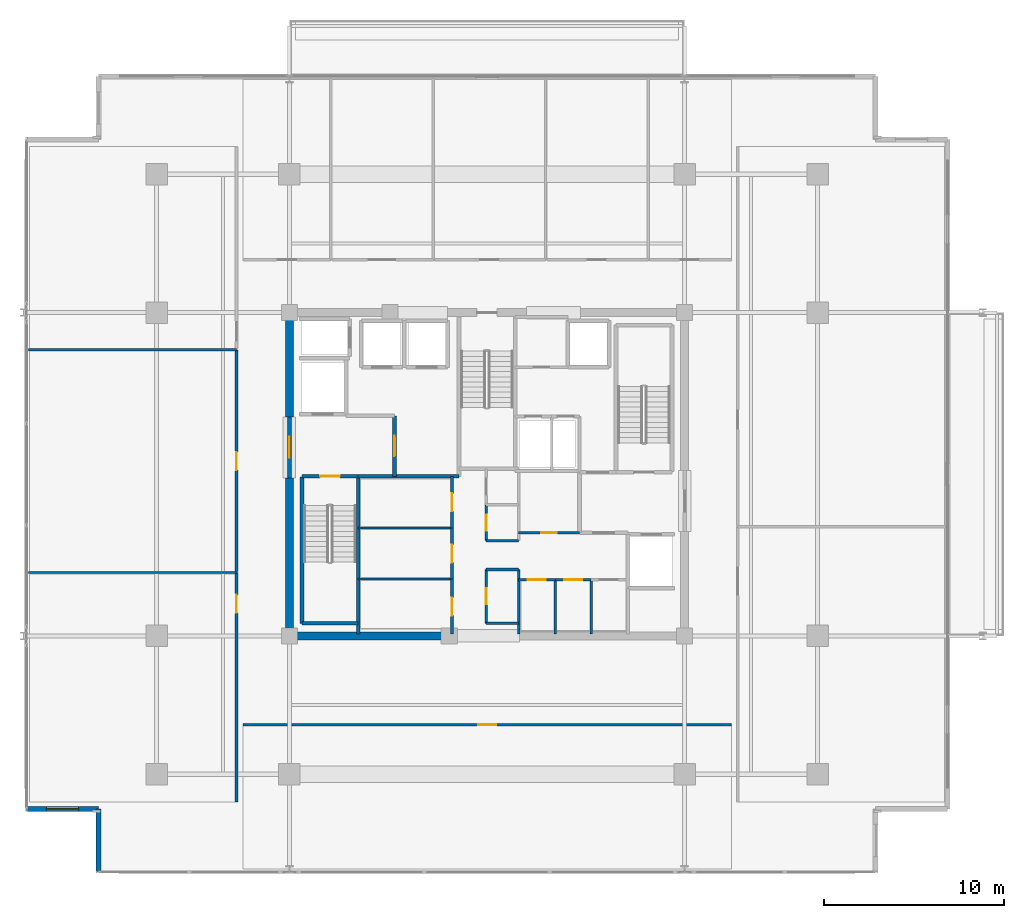
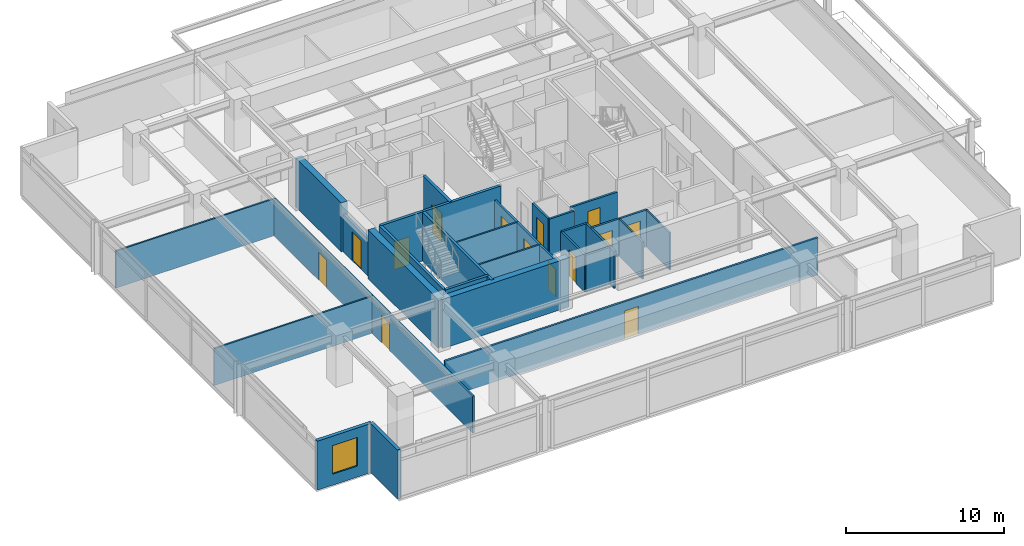
# One storey, part 14 of 21: 33 walls, 14 doors, 1 window, 15 openings.
"""IFC4 building model written with IfcOpenShell, lengths in metres."""

from ifc_helpers import new_model, si_unit, direction, frame, frame_2d, origin, place, context, subcontext, project, spatial, rectangle, extrude, material, layer, layer_set, type_object, element, fill, save


model = new_model("IFC4")

# Units and contexts
model_context = context("Model", 3, precision=1e-05, world=origin(), true_north=direction((0.0, 1.0)))
body_context = subcontext(model_context, "Body", "Model", "MODEL_VIEW")
ifc_project = project(units=[si_unit("LENGTHUNIT", "METRE"), si_unit("AREAUNIT", "SQUARE_METRE"), si_unit("VOLUMEUNIT", "CUBIC_METRE"), si_unit("PLANEANGLEUNIT", "RADIAN"), si_unit("MASSUNIT", "GRAM", prefix="KILO")], contexts=[model_context])

# Site, building, storey
site_placement = place(None, origin())
site = spatial("IfcSite", under=ifc_project, at=site_placement, CompositionType="ELEMENT")
building_placement = place(site_placement, origin())
building = spatial("IfcBuilding", under=site, at=building_placement, Name="Kovane Verandah Tower", CompositionType="ELEMENT")
storey_placement = place(building_placement, frame((0.0, 0.0, 283.199951171875)))
storey = spatial("IfcBuildingStorey", under=building, at=storey_placement, Name="L66", CompositionType="ELEMENT", Elevation=283.199951171875)

# Walls
ifc_material_1 = material(Name="Fire-Rated Gypsum Stud Partition", Category="gypsum")
ifc_layer_1 = layer(ifc_material_1, 0.14990234375)
ifc_layer_set_1 = layer_set([ifc_layer_1], Name="Fire-Rated Gypsum Stud Partition")
wall_type_1 = type_object("IfcWallType", Name="WL-COR-150", PredefinedType="PARTITIONING", material=ifc_layer_set_1)
for number, where, z_axis, x_axis, name in (
    (1, (39.949951171875, 19.199951171875, 0.0), (0.0, 0.0, 1.0), (1.0, 0.0, 0.0), "L66 Central Core Strip South Wall"),
    (2, (39.949951171875, 22.199951171875, 0.0), (0.0, 0.0, 1.0), (1.0, 0.0, 0.0), "L66 Core Cross-Passage South Wall"),
    (3, (39.949951171875, 23.800048828125, 0.0), (0.0, 0.0, 1.0), (1.0, 0.0, 0.0), "L66 Core Cross-Passage North Wall"),
):
    element("IfcWall", number, at=place(storey_placement, frame(where, z_axis=z_axis, x_axis=x_axis)), inside=storey, type_object=wall_type_1, Name=name, PredefinedType="PARTITIONING", context=body_context, shape_type="SweptSolid", body=[
        extrude(rectangle(XDim=1.81005859375, YDim=0.14990234375, at=frame_2d((0.905029296875, 0.0))), origin(), (0.0, 0.0, 1.0), 2.85009765625),
    ])
wall_1_placement = place(storey_placement, frame((41.760009765625, 18.60009765625, 0.0), z_axis=(0.0, 0.0, 1.0), x_axis=(0.0, 1.0, 0.0)))
element("IfcWall", 4, at=wall_1_placement, inside=storey, type_object=wall_type_1, Name="L66 Central Core Strip Lower East Wall", PredefinedType="PARTITIONING", context=body_context, shape_type="SweptSolid", body=[
    extrude(rectangle(XDim=3.599853515625, YDim=0.14990234375, at=frame_2d((1.7998046875, 0.0))), origin(), (0.0, 0.0, 1.0), 2.85009765625),
])

# Wall, opening, door
wall_2_placement = place(storey_placement, frame((39.949951171875, 19.199951171875, 0.0), z_axis=(0.0, 0.0, 1.0), x_axis=(0.0, 1.0, 0.0)))
wall_2 = element("IfcWall", 5, at=wall_2_placement, inside=storey, type_object=wall_type_1, Name="L66 Male Toilet Partition", PredefinedType="PARTITIONING", context=body_context, shape_type="SweptSolid", body=[
    extrude(rectangle(XDim=3.0, YDim=0.14990234375, at=frame_2d((1.5, 0.0))), origin(), (0.0, 0.0, 1.0), 2.85009765625),
])
opening_1_placement = place(wall_2_placement, frame((1.050048828125, 0.0, 0.0)))
opening_1 = element("IfcOpeningElement", 6, at=opening_1_placement, cuts=wall_2, Name="Opening DR-L66-031", PredefinedType="OPENING", context=body_context, shape_type="SweptSolid", body=[
    extrude(rectangle(XDim=0.89990234375, YDim=2.10009765625, at=frame_2d((0.449951171875, 1.050048828125))), frame((0.0, 0.074951171875, 0.0), z_axis=(0.0, -1.0, 0.0), x_axis=(1.0, 0.0, 0.0)), (0.0, 0.0, 1.0), 0.14990234375),
])
ifc_material_2 = material(Name="Moisture-Resistant Laminate Washroom Door", Category="wood")
door_type_1 = type_object("IfcDoorType", Name="DR-WC-900", OperationType="SINGLE_SWING_LEFT", PredefinedType="DOOR", material=ifc_material_2)
door_1_placement = place(opening_1_placement, origin())
door_1 = element("IfcDoor", 7, at=door_1_placement, inside=storey, type_object=door_type_1, Name="L66 Male Toilet Door", OperationType="SINGLE_SWING_LEFT", OverallHeight=2.10009765625, OverallWidth=0.89990234375, PredefinedType="DOOR", context=body_context, shape_type="SweptSolid", body=[
    extrude(rectangle(XDim=0.89990234375, YDim=2.10009765625, at=frame_2d((0.449951171875, 1.050048828125))), frame((0.0, 0.02490234375, 0.0), z_axis=(0.0, -1.0, 0.0), x_axis=(1.0, 0.0, 0.0)), (0.0, 0.0, 1.0), 0.050048828125),
])
fill(opening_1, door_1)

wall_3_placement = place(storey_placement, frame((39.949951171875, 23.800048828125, 0.0), z_axis=(0.0, 0.0, 1.0), x_axis=(0.0, 1.0, 0.0)))
wall_3 = element("IfcWall", 8, at=wall_3_placement, inside=storey, type_object=wall_type_1, Name="L66 Female Toilet Partition", PredefinedType="PARTITIONING", context=body_context, shape_type="SweptSolid", body=[
    extrude(rectangle(XDim=2.0, YDim=0.14990234375, at=frame_2d((1.0, 0.0))), origin(), (0.0, 0.0, 1.0), 2.85009765625),
])
opening_2_placement = place(wall_3_placement, frame((0.550048828125, 0.0, 0.0)))
opening_2 = element("IfcOpeningElement", 9, at=opening_2_placement, cuts=wall_3, Name="Opening DR-L66-030", PredefinedType="OPENING", context=body_context, shape_type="SweptSolid", body=[
    extrude(rectangle(XDim=0.89990234375, YDim=2.10009765625, at=frame_2d((0.449951171875, 1.050048828125))), frame((0.0, 0.074951171875, 0.0), z_axis=(0.0, -1.0, 0.0), x_axis=(1.0, 0.0, 0.0)), (0.0, 0.0, 1.0), 0.14990234375),
])
door_2_placement = place(opening_2_placement, origin())
door_2 = element("IfcDoor", 10, at=door_2_placement, inside=storey, type_object=door_type_1, Name="L66 Female Toilet Door", OperationType="SINGLE_SWING_RIGHT", OverallHeight=2.10009765625, OverallWidth=0.89990234375, PredefinedType="DOOR", context=body_context, shape_type="SweptSolid", body=[
    extrude(rectangle(XDim=0.89990234375, YDim=2.10009765625, at=frame_2d((0.449951171875, 1.050048828125))), frame((0.0, 0.02490234375, 0.0), z_axis=(0.0, -1.0, 0.0), x_axis=(1.0, 0.0, 0.0)), (0.0, 0.0, 1.0), 0.050048828125),
])
fill(opening_2, door_2)

wall_4_placement = place(storey_placement, frame((38.050048828125, 18.60009765625, 0.0), z_axis=(0.0, 0.0, 1.0), x_axis=(0.0, 1.0, 0.0)))
wall_4 = element("IfcWall", 11, at=wall_4_placement, inside=storey, type_object=wall_type_1, Name="L66 Project Archive Room Partition", PredefinedType="PARTITIONING", context=body_context, shape_type="SweptSolid", body=[
    extrude(rectangle(XDim=3.059814453125, YDim=0.14990234375, at=frame_2d((1.52978515625, 0.0))), origin(), (0.0, 0.0, 1.0), 2.85009765625),
])
opening_3_placement = place(wall_4_placement, frame((1.030029296875, 0.0, 0.0)))
opening_3 = element("IfcOpeningElement", 12, at=opening_3_placement, cuts=wall_4, Name="Opening DR-L66-013", PredefinedType="OPENING", context=body_context, shape_type="SweptSolid", body=[
    extrude(rectangle(XDim=1.0, YDim=2.14990234375, at=frame_2d((0.5, 1.074951171875))), frame((0.0, 0.074951171875, 0.0), z_axis=(0.0, -1.0, 0.0), x_axis=(1.0, 0.0, 0.0)), (0.0, 0.0, 1.0), 0.14990234375),
])
ifc_material_3 = material(Name="FSC Spotted-Gum Timber Fire-Rated Office Door", Category="wood")
door_type_2 = type_object("IfcDoorType", Name="DR-OFF-1000", OperationType="SINGLE_SWING_LEFT", PredefinedType="DOOR", material=ifc_material_3)
door_3_placement = place(opening_3_placement, origin())
door_3 = element("IfcDoor", 13, at=door_3_placement, inside=storey, type_object=door_type_2, Name="L66 Project Archive Room Door", OperationType="SINGLE_SWING_RIGHT", OverallHeight=2.14990234375, OverallWidth=1.0, PredefinedType="DOOR", context=body_context, shape_type="SweptSolid", body=[
    extrude(rectangle(XDim=1.0, YDim=2.14990234375, at=frame_2d((0.5, 1.074951171875))), frame((0.0, 0.02490234375, 0.0), z_axis=(0.0, -1.0, 0.0), x_axis=(1.0, 0.0, 0.0)), (0.0, 0.0, 1.0), 0.050048828125),
])
fill(opening_3, door_3)

wall_5_placement = place(storey_placement, frame((38.050048828125, 21.659912109375, 0.0), z_axis=(0.0, 0.0, 1.0), x_axis=(0.0, 1.0, 0.0)))
wall_5 = element("IfcWall", 14, at=wall_5_placement, inside=storey, type_object=wall_type_1, Name="L66 First Aid and Wellness Room Partition", PredefinedType="PARTITIONING", context=body_context, shape_type="SweptSolid", body=[
    extrude(rectangle(XDim=2.840087890625, YDim=0.14990234375, at=frame_2d((1.419921875, 0.0))), origin(), (0.0, 0.0, 1.0), 2.85009765625),
])
opening_4_placement = place(wall_5_placement, frame((0.919921875, 0.0, 0.0)))
opening_4 = element("IfcOpeningElement", 15, at=opening_4_placement, cuts=wall_5, Name="Opening DR-L66-014", PredefinedType="OPENING", context=body_context, shape_type="SweptSolid", body=[
    extrude(rectangle(XDim=1.0, YDim=2.14990234375, at=frame_2d((0.5, 1.074951171875))), frame((0.0, 0.074951171875, 0.0), z_axis=(0.0, -1.0, 0.0), x_axis=(1.0, 0.0, 0.0)), (0.0, 0.0, 1.0), 0.14990234375),
])
door_4_placement = place(opening_4_placement, origin())
door_4 = element("IfcDoor", 16, at=door_4_placement, inside=storey, type_object=door_type_2, Name="L66 First Aid and Wellness Room Door", OperationType="SINGLE_SWING_LEFT", OverallHeight=2.14990234375, OverallWidth=1.0, PredefinedType="DOOR", context=body_context, shape_type="SweptSolid", body=[
    extrude(rectangle(XDim=1.0, YDim=2.14990234375, at=frame_2d((0.5, 1.074951171875))), frame((0.0, 0.02490234375, 0.0), z_axis=(0.0, -1.0, 0.0), x_axis=(1.0, 0.0, 0.0)), (0.0, 0.0, 1.0), 0.050048828125),
])
fill(opening_4, door_4)

wall_6_placement = place(storey_placement, frame((38.050048828125, 24.5, 0.0), z_axis=(0.0, 0.0, 1.0), x_axis=(0.0, 1.0, 0.0)))
wall_6 = element("IfcWall", 17, at=wall_6_placement, inside=storey, type_object=wall_type_1, Name="L66 Tea and Copy Hub Partition", PredefinedType="PARTITIONING", context=body_context, shape_type="SweptSolid", body=[
    extrude(rectangle(XDim=2.8798828125, YDim=0.14990234375, at=frame_2d((1.43994140625, 0.0))), origin(), (0.0, 0.0, 1.0), 2.85009765625),
])
opening_5_placement = place(wall_6_placement, frame((0.93994140625, 0.0, 0.0)))
opening_5 = element("IfcOpeningElement", 18, at=opening_5_placement, cuts=wall_6, Name="Opening DR-L66-015", PredefinedType="OPENING", context=body_context, shape_type="SweptSolid", body=[
    extrude(rectangle(XDim=1.0, YDim=2.14990234375, at=frame_2d((0.5, 1.074951171875))), frame((0.0, 0.074951171875, 0.0), z_axis=(0.0, -1.0, 0.0), x_axis=(1.0, 0.0, 0.0)), (0.0, 0.0, 1.0), 0.14990234375),
])
door_5_placement = place(opening_5_placement, origin())
door_5 = element("IfcDoor", 19, at=door_5_placement, inside=storey, type_object=door_type_2, Name="L66 Tea and Copy Hub Door", OperationType="SINGLE_SWING_RIGHT", OverallHeight=2.14990234375, OverallWidth=1.0, PredefinedType="DOOR", context=body_context, shape_type="SweptSolid", body=[
    extrude(rectangle(XDim=1.0, YDim=2.14990234375, at=frame_2d((0.5, 1.074951171875))), frame((0.0, 0.02490234375, 0.0), z_axis=(0.0, -1.0, 0.0), x_axis=(1.0, 0.0, 0.0)), (0.0, 0.0, 1.0), 0.050048828125),
])
fill(opening_5, door_5)

wall_7_placement = place(storey_placement, frame((41.760009765625, 21.6201171875, 0.0), z_axis=(0.0, 0.0, 1.0), x_axis=(1.0, 0.0, 0.0)))
wall_7 = element("IfcWall", 20, at=wall_7_placement, inside=storey, type_object=wall_type_1, Name="L66 Mail and Copy Room Partition", PredefinedType="PARTITIONING", context=body_context, shape_type="SweptSolid", body=[
    extrude(rectangle(XDim=2.0400390625, YDim=0.14990234375, at=frame_2d((1.02001953125, 0.0))), origin(), (0.0, 0.0, 1.0), 2.85009765625),
])
opening_6_placement = place(wall_7_placement, frame((0.52001953125, 0.0, 0.0)))
opening_6 = element("IfcOpeningElement", 21, at=opening_6_placement, cuts=wall_7, Name="Opening DR-L66-016", PredefinedType="OPENING", context=body_context, shape_type="SweptSolid", body=[
    extrude(rectangle(XDim=1.0, YDim=2.14990234375, at=frame_2d((0.5, 1.074951171875))), frame((0.0, 0.074951171875, 0.0), z_axis=(0.0, -1.0, 0.0), x_axis=(1.0, 0.0, 0.0)), (0.0, 0.0, 1.0), 0.14990234375),
])
door_6_placement = place(opening_6_placement, origin())
door_6 = element("IfcDoor", 22, at=door_6_placement, inside=storey, type_object=door_type_2, Name="L66 Mail and Copy Room Door", OperationType="SINGLE_SWING_LEFT", OverallHeight=2.14990234375, OverallWidth=1.0, PredefinedType="DOOR", context=body_context, shape_type="SweptSolid", body=[
    extrude(rectangle(XDim=1.0, YDim=2.14990234375, at=frame_2d((0.5, 1.074951171875))), frame((0.0, 0.02490234375, 0.0), z_axis=(0.0, -1.0, 0.0), x_axis=(1.0, 0.0, 0.0)), (0.0, 0.0, 1.0), 0.050048828125),
])
fill(opening_6, door_6)

wall_8_placement = place(storey_placement, frame((43.800048828125, 21.6201171875, 0.0), z_axis=(0.0, 0.0, 1.0), x_axis=(1.0, 0.0, 0.0)))
wall_8 = element("IfcWall", 23, at=wall_8_placement, inside=storey, type_object=wall_type_1, Name="L66 First Aid Room Partition", PredefinedType="PARTITIONING", context=body_context, shape_type="SweptSolid", body=[
    extrude(rectangle(XDim=2.0, YDim=0.14990234375, at=frame_2d((1.0, 0.0))), origin(), (0.0, 0.0, 1.0), 2.85009765625),
])
opening_7_placement = place(wall_8_placement, frame((0.5, 0.0, 0.0)))
opening_7 = element("IfcOpeningElement", 24, at=opening_7_placement, cuts=wall_8, Name="Opening DR-L66-017", PredefinedType="OPENING", context=body_context, shape_type="SweptSolid", body=[
    extrude(rectangle(XDim=1.0, YDim=2.14990234375, at=frame_2d((0.5, 1.074951171875))), frame((0.0, 0.074951171875, 0.0), z_axis=(0.0, -1.0, 0.0), x_axis=(1.0, 0.0, 0.0)), (0.0, 0.0, 1.0), 0.14990234375),
])
door_7_placement = place(opening_7_placement, origin())
door_7 = element("IfcDoor", 25, at=door_7_placement, inside=storey, type_object=door_type_2, Name="L66 First Aid Room Door", OperationType="SINGLE_SWING_RIGHT", OverallHeight=2.14990234375, OverallWidth=1.0, PredefinedType="DOOR", context=body_context, shape_type="SweptSolid", body=[
    extrude(rectangle(XDim=1.0, YDim=2.14990234375, at=frame_2d((0.5, 1.074951171875))), frame((0.0, 0.02490234375, 0.0), z_axis=(0.0, -1.0, 0.0), x_axis=(1.0, 0.0, 0.0)), (0.0, 0.0, 1.0), 0.050048828125),
])
fill(opening_7, door_7)

wall_9_placement = place(storey_placement, frame((41.760009765625, 24.25, 0.0), z_axis=(0.0, 0.0, 1.0), x_axis=(1.0, 0.0, 0.0)))
wall_9 = element("IfcWall", 26, at=wall_9_placement, inside=storey, type_object=wall_type_1, Name="L66 Supply Store Partition", PredefinedType="PARTITIONING", context=body_context, shape_type="SweptSolid", body=[
    extrude(rectangle(XDim=3.389892578125, YDim=0.14990234375, at=frame_2d((1.69482421875, 0.0))), origin(), (0.0, 0.0, 1.0), 2.85009765625),
])
opening_8_placement = place(wall_9_placement, frame((1.2548828125, 0.0, 0.0)))
opening_8 = element("IfcOpeningElement", 27, at=opening_8_placement, cuts=wall_9, Name="Opening DR-L66-019", PredefinedType="OPENING", context=body_context, shape_type="SweptSolid", body=[
    extrude(rectangle(XDim=0.8798828125, YDim=2.10009765625, at=frame_2d((0.43994140625, 1.050048828125))), frame((0.0, 0.074951171875, 0.0), z_axis=(0.0, -1.0, 0.0), x_axis=(1.0, 0.0, 0.0)), (0.0, 0.0, 1.0), 0.14990234375),
])
ifc_material_4 = material(Name="Fire-Rated Steel Riser Access Door", Category="steel")
door_type_3 = type_object("IfcDoorType", Name="DR-RISER-880", OperationType="SINGLE_SWING_LEFT", PredefinedType="DOOR", material=ifc_material_4)
door_8_placement = place(opening_8_placement, origin())
door_8 = element("IfcDoor", 28, at=door_8_placement, inside=storey, type_object=door_type_3, Name="L66 Supply Store Door", OperationType="SINGLE_SWING_RIGHT", OverallHeight=2.10009765625, OverallWidth=0.8798828125, PredefinedType="DOOR", context=body_context, shape_type="SweptSolid", body=[
    extrude(rectangle(XDim=0.8798828125, YDim=2.10009765625, at=frame_2d((0.43994140625, 1.050048828125))), frame((0.0, 0.02490234375, 0.0), z_axis=(0.0, -1.0, 0.0), x_axis=(1.0, 0.0, 0.0)), (0.0, 0.0, 1.0), 0.050048828125),
])
fill(opening_8, door_8)

wall_10_placement = place(storey_placement, frame((26.39990234375, 13.550048828125, 0.0), z_axis=(0.0, 0.0, 1.0), x_axis=(1.0, 0.0, 0.0)))
wall_10 = element("IfcWall", 29, at=wall_10_placement, inside=storey, type_object=wall_type_1, Name="L66 Collaboration Hub S1 Corridor Partition", PredefinedType="PARTITIONING", context=body_context, shape_type="SweptSolid", body=[
    extrude(rectangle(XDim=27.2001953125, YDim=0.14990234375, at=frame_2d((13.60009765625, 0.0))), origin(), (0.0, 0.0, 1.0), 2.85009765625),
])
opening_9_placement = place(wall_10_placement, frame((13.10009765625, 0.0, 0.0)))
opening_9 = element("IfcOpeningElement", 30, at=opening_9_placement, cuts=wall_10, Name="Opening DR-L66-028", PredefinedType="OPENING", context=body_context, shape_type="SweptSolid", body=[
    extrude(rectangle(XDim=1.0, YDim=2.14990234375, at=frame_2d((0.5, 1.074951171875))), frame((0.0, 0.074951171875, 0.0), z_axis=(0.0, -1.0, 0.0), x_axis=(1.0, 0.0, 0.0)), (0.0, 0.0, 1.0), 0.14990234375),
])
door_9_placement = place(opening_9_placement, origin())
door_9 = element("IfcDoor", 31, at=door_9_placement, inside=storey, type_object=door_type_2, Name="L66 Collaboration Hub S1 Entrance Door", OperationType="SINGLE_SWING_LEFT", OverallHeight=2.14990234375, OverallWidth=1.0, PredefinedType="DOOR", context=body_context, shape_type="SweptSolid", body=[
    extrude(rectangle(XDim=1.0, YDim=2.14990234375, at=frame_2d((0.5, 1.074951171875))), frame((0.0, 0.02490234375, 0.0), z_axis=(0.0, -1.0, 0.0), x_axis=(1.0, 0.0, 0.0)), (0.0, 0.0, 1.0), 0.050048828125),
])
fill(opening_9, door_9)

wall_11_placement = place(storey_placement, frame((26.050048828125, 9.259521484375, 0.0), z_axis=(0.0, 0.0, 1.0), x_axis=(0.0, 1.0, 0.0)))
wall_11 = element("IfcWall", 32, at=wall_11_placement, inside=storey, type_object=wall_type_1, Name="L66 Document and Print Room W1 Corridor Partition", PredefinedType="PARTITIONING", context=body_context, shape_type="SweptSolid", body=[
    extrude(rectangle(XDim=12.768310546875, YDim=0.14990234375, at=frame_2d((6.38427734375, 0.0))), origin(), (0.0, 0.0, 1.0), 2.85009765625),
])
opening_10_placement = place(wall_11_placement, frame((10.519287109375, 0.0, 0.0)))
opening_10 = element("IfcOpeningElement", 33, at=opening_10_placement, cuts=wall_11, Name="Opening DR-L66-032", PredefinedType="OPENING", context=body_context, shape_type="SweptSolid", body=[
    extrude(rectangle(XDim=1.0, YDim=2.14990234375, at=frame_2d((0.5, 1.074951171875))), frame((0.0, 0.074951171875, 0.0), z_axis=(0.0, -1.0, 0.0), x_axis=(1.0, 0.0, 0.0)), (0.0, 0.0, 1.0), 0.14990234375),
])
door_10_placement = place(opening_10_placement, origin())
door_10 = element("IfcDoor", 34, at=door_10_placement, inside=storey, type_object=door_type_2, Name="L66 Document and Print Room W1 Entrance Door", OperationType="SINGLE_SWING_RIGHT", OverallHeight=2.14990234375, OverallWidth=1.0, PredefinedType="DOOR", context=body_context, shape_type="SweptSolid", body=[
    extrude(rectangle(XDim=1.0, YDim=2.14990234375, at=frame_2d((0.5, 1.074951171875))), frame((0.0, 0.02490234375, 0.0), z_axis=(0.0, -1.0, 0.0), x_axis=(1.0, 0.0, 0.0)), (0.0, 0.0, 1.0), 0.050048828125),
])
fill(opening_10, door_10)

wall_12_placement = place(storey_placement, frame((26.050048828125, 22.097900390625, 0.0), z_axis=(0.0, 0.0, 1.0), x_axis=(0.0, 1.0, 0.0)))
wall_12 = element("IfcWall", 35, at=wall_12_placement, inside=storey, type_object=wall_type_1, Name="L66 Open Plan Office W2 Corridor Partition", PredefinedType="PARTITIONING", context=body_context, shape_type="SweptSolid", body=[
    extrude(rectangle(XDim=12.33349609375, YDim=0.14990234375, at=frame_2d((6.166748046875, 0.0))), origin(), (0.0, 0.0, 1.0), 2.85009765625),
])
opening_11_placement = place(wall_12_placement, frame((5.6318359375, 0.0, 0.0)))
opening_11 = element("IfcOpeningElement", 36, at=opening_11_placement, cuts=wall_12, Name="Opening DR-L66-033", PredefinedType="OPENING", context=body_context, shape_type="SweptSolid", body=[
    extrude(rectangle(XDim=1.0, YDim=2.14990234375, at=frame_2d((0.5, 1.074951171875))), frame((0.0, 0.074951171875, 0.0), z_axis=(0.0, -1.0, 0.0), x_axis=(1.0, 0.0, 0.0)), (0.0, 0.0, 1.0), 0.14990234375),
])
door_11_placement = place(opening_11_placement, origin())
door_11 = element("IfcDoor", 37, at=door_11_placement, inside=storey, type_object=door_type_2, Name="L66 Open Plan Office W2 Entrance Door", OperationType="SINGLE_SWING_LEFT", OverallHeight=2.14990234375, OverallWidth=1.0, PredefinedType="DOOR", context=body_context, shape_type="SweptSolid", body=[
    extrude(rectangle(XDim=1.0, YDim=2.14990234375, at=frame_2d((0.5, 1.074951171875))), frame((0.0, 0.02490234375, 0.0), z_axis=(0.0, -1.0, 0.0), x_axis=(1.0, 0.0, 0.0)), (0.0, 0.0, 1.0), 0.050048828125),
])
fill(opening_11, door_11)

# Walls
ifc_material_5 = material(Name="Concrete C60/75", Category="concrete")
ifc_layer_2 = layer(ifc_material_5, 0.449951171875)
ifc_layer_set_2 = layer_set([ifc_layer_2], Name="Concrete C60/75")
wall_type_2 = type_object("IfcWallType", Name="WL-CORE-450", PredefinedType="SHEAR", material=ifc_layer_set_2)
wall_13_placement = place(storey_placement, frame((29.0, 18.5, 0.0), z_axis=(0.0, 0.0, 1.0), x_axis=(1.0, 0.0, 0.0)))
element("IfcWall", 38, at=wall_13_placement, inside=storey, type_object=wall_type_2, Name="L66 Core Shear Wall CS-1", PredefinedType="SHEAR", context=body_context, shape_type="SweptSolid", body=[
    extrude(rectangle(XDim=9.199951171875, YDim=0.449951171875, at=frame_2d((4.60009765625, 0.0))), origin(), (0.0, 0.0, 1.0), 3.78515625),
])
wall_14_placement = place(storey_placement, frame((29.0, 18.5, 0.0), z_axis=(0.0, 0.0, 1.0), x_axis=(0.0, 1.0, 0.0)))
element("IfcWall", 39, at=wall_14_placement, inside=storey, type_object=wall_type_2, Name="L66 Core Shear Wall CW-1", PredefinedType="SHEAR", context=body_context, shape_type="SweptSolid", body=[
    extrude(rectangle(XDim=8.800048828125, YDim=0.449951171875, at=frame_2d((4.39990234375, 0.0))), origin(), (0.0, 0.0, 1.0), 3.78515625),
])
wall_15_placement = place(storey_placement, frame((29.0, 30.699951171875, 0.0), z_axis=(0.0, 0.0, 1.0), x_axis=(0.0, 1.0, 0.0)))
element("IfcWall", 40, at=wall_15_placement, inside=storey, type_object=wall_type_2, Name="L66 Core Shear Wall CW-2", PredefinedType="SHEAR", context=body_context, shape_type="SweptSolid", body=[
    extrude(rectangle(XDim=5.800048828125, YDim=0.449951171875, at=frame_2d((2.89990234375, 0.0))), origin(), (0.0, 0.0, 1.0), 3.78515625),
])

# Wall, opening, door
ifc_material_6 = material(Name="Concrete C45/55 Fire Wall", Category="concrete")
ifc_layer_3 = layer(ifc_material_6, 0.199951171875)
ifc_layer_set_3 = layer_set([ifc_layer_3], Name="Concrete C45/55 Fire Wall")
wall_type_3 = type_object("IfcWallType", Name="WL-FFL-200", PredefinedType="PARTITIONING", material=ifc_layer_set_3)
wall_16_placement = place(storey_placement, frame((34.85009765625, 27.3798828125, 0.0), z_axis=(0.0, 0.0, 1.0), x_axis=(0.0, 1.0, 0.0)))
wall_16 = element("IfcWall", 41, at=wall_16_placement, inside=storey, type_object=wall_type_3, Name="W-L66-FFLW-E", PredefinedType="PARTITIONING", context=body_context, shape_type="SweptSolid", body=[
    extrude(rectangle(XDim=3.3701171875, YDim=0.199951171875, at=frame_2d((1.68505859375, 0.0))), origin(), (0.0, 0.0, 1.0), 3.78515625),
])
opening_12_placement = place(wall_16_placement, frame((1.110107421875, 0.0, 0.0)))
opening_12 = element("IfcOpeningElement", 42, at=opening_12_placement, cuts=wall_16, Name="Opening DR-L66-006", PredefinedType="OPENING", context=body_context, shape_type="SweptSolid", body=[
    extrude(rectangle(XDim=1.14990234375, YDim=2.199951171875, at=frame_2d((0.574951171875, 1.10009765625))), frame((0.0, 0.10009765625, 0.0), z_axis=(0.0, -1.0, 0.0), x_axis=(1.0, 0.0, 0.0)), (0.0, 0.0, 1.0), 0.199951171875),
])
ifc_material_7 = material(Name="Smoke-Sealed Firefighting Lobby Door", Category="steel")
door_type_4 = type_object("IfcDoorType", Name="DR-FFL-1150", OperationType="SINGLE_SWING_LEFT", PredefinedType="DOOR", material=ifc_material_7)
door_12_placement = place(opening_12_placement, origin())
door_12 = element("IfcDoor", 43, at=door_12_placement, inside=storey, type_object=door_type_4, Name="L66 West Firefighting Lobby Inner Door", OperationType="SINGLE_SWING_LEFT", OverallHeight=2.199951171875, OverallWidth=1.14990234375, PredefinedType="DOOR", context=body_context, shape_type="SweptSolid", body=[
    extrude(rectangle(XDim=1.14990234375, YDim=2.199951171875, at=frame_2d((0.574951171875, 1.10009765625))), frame((0.0, 0.02490234375, 0.0), z_axis=(0.0, -1.0, 0.0), x_axis=(1.0, 0.0, 0.0)), (0.0, 0.0, 1.0), 0.050048828125),
])
fill(opening_12, door_12)

wall_17_placement = place(storey_placement, frame((29.0, 27.300048828125, 0.0), z_axis=(0.0, 0.0, 1.0), x_axis=(0.0, 1.0, 0.0)))
wall_17 = element("IfcWall", 44, at=wall_17_placement, inside=storey, type_object=wall_type_3, Name="W-L66-FFLW-OUT", PredefinedType="PARTITIONING", context=body_context, shape_type="SweptSolid", body=[
    extrude(rectangle(XDim=3.39990234375, YDim=0.199951171875, at=frame_2d((1.699951171875, 0.0))), origin(), (0.0, 0.0, 1.0), 2.864990234375),
])
opening_13_placement = place(wall_17_placement, frame((1.125, 0.0, 0.0)))
opening_13 = element("IfcOpeningElement", 45, at=opening_13_placement, cuts=wall_17, Name="Opening DR-L66-007", PredefinedType="OPENING", context=body_context, shape_type="SweptSolid", body=[
    extrude(rectangle(XDim=1.14990234375, YDim=2.199951171875, at=frame_2d((0.574951171875, 1.10009765625))), frame((0.0, 0.10009765625, 0.0), z_axis=(0.0, -1.0, 0.0), x_axis=(1.0, 0.0, 0.0)), (0.0, 0.0, 1.0), 0.199951171875),
])
door_13_placement = place(opening_13_placement, origin())
door_13 = element("IfcDoor", 46, at=door_13_placement, inside=storey, type_object=door_type_4, Name="L66 West Firefighting Lobby Corridor Door", OperationType="SINGLE_SWING_RIGHT", OverallHeight=2.199951171875, OverallWidth=1.14990234375, PredefinedType="DOOR", context=body_context, shape_type="SweptSolid", body=[
    extrude(rectangle(XDim=1.14990234375, YDim=2.199951171875, at=frame_2d((0.574951171875, 1.10009765625))), frame((0.0, 0.02490234375, 0.0), z_axis=(0.0, -1.0, 0.0), x_axis=(1.0, 0.0, 0.0)), (0.0, 0.0, 1.0), 0.050048828125),
])
fill(opening_13, door_13)

# Walls
wall_18_placement = place(storey_placement, frame((32.820068359375, 27.3798828125, 0.0), z_axis=(0.0, 0.0, 1.0), x_axis=(1.0, 0.0, 0.0)))
element("IfcWall", 47, at=wall_18_placement, inside=storey, type_object=wall_type_3, Name="L66 West Firefighting Lobby South Fire Wall", PredefinedType="PARTITIONING", context=body_context, shape_type="SweptSolid", body=[
    extrude(rectangle(XDim=5.619873046875, YDim=0.199951171875, at=frame_2d((2.81005859375, 0.0))), origin(), (0.0, 0.0, 1.0), 3.78515625),
])
ifc_material_8 = material(Name="Acoustic Fire-Rated Gypsum Partition", Category="gypsum")
ifc_layer_4 = layer(ifc_material_8, 0.1201171875)
ifc_layer_set_4 = layer_set([ifc_layer_4], Name="Acoustic Fire-Rated Gypsum Partition")
wall_type_4 = type_object("IfcWallType", Name="WL-PART-120", PredefinedType="PARTITIONING", material=ifc_layer_set_4)
for number, where, z_axis, x_axis, name in (
    (48, (32.820068359375, 21.659912109375, 0.0), (0.0, 0.0, 1.0), (1.0, 0.0, 0.0), "L66 Core Support Lower Dividing Partition"),
    (49, (32.820068359375, 24.5, 0.0), (0.0, 0.0, 1.0), (1.0, 0.0, 0.0), "L66 Core Support Upper Dividing Partition"),
):
    element("IfcWall", number, at=place(storey_placement, frame(where, z_axis=z_axis, x_axis=x_axis)), inside=storey, type_object=wall_type_4, Name=name, PredefinedType="PARTITIONING", context=body_context, shape_type="SweptSolid", body=[
        extrude(rectangle(XDim=5.22998046875, YDim=0.1201171875, at=frame_2d((2.614990234375, 0.0))), origin(), (0.0, 0.0, 1.0), 2.85009765625),
    ])
for number, where, z_axis, x_axis, name in (
    (50, (43.800048828125, 18.60009765625, 0.0), (0.0, 0.0, 1.0), (0.0, 1.0, 0.0), "L66 East Core Support Dividing Partition 1"),
    (51, (45.800048828125, 18.60009765625, 0.0), (0.0, 0.0, 1.0), (0.0, 1.0, 0.0), "L66 East Core Support Dividing Partition 2"),
):
    element("IfcWall", number, at=place(storey_placement, frame(where, z_axis=z_axis, x_axis=x_axis)), inside=storey, type_object=wall_type_4, Name=name, PredefinedType="PARTITIONING", context=body_context, shape_type="SweptSolid", body=[
        extrude(rectangle(XDim=3.02001953125, YDim=0.1201171875, at=frame_2d((1.510009765625, 0.0))), origin(), (0.0, 0.0, 1.0), 2.85009765625),
    ])
for number, where, z_axis, x_axis, name in (
    (52, (14.46875, 22.02783203125, 0.0), (0.0, 0.0, 1.0), (1.0, 0.0, 0.0), "L66 Document and Print Room W1 Dividing Partition"),
    (53, (14.46875, 34.431396484375, 0.0), (0.0, 0.0, 1.0), (1.0, 0.0, 0.0), "L66 Open Plan Office W2 Dividing Partition"),
):
    element("IfcWall", number, at=place(storey_placement, frame(where, z_axis=z_axis, x_axis=x_axis)), inside=storey, type_object=wall_type_4, Name=name, PredefinedType="PARTITIONING", context=body_context, shape_type="SweptSolid", body=[
        extrude(rectangle(XDim=11.581298828125, YDim=0.1201171875, at=frame_2d((5.79052734375, 0.0))), origin(), (0.0, 0.0, 1.0), 2.85009765625),
    ])
ifc_material_9 = material(Name="Concrete C45/55", Category="concrete")
ifc_layer_5 = layer(ifc_material_9, 0.199951171875)
ifc_layer_set_5 = layer_set([ifc_layer_5], Name="Concrete C45/55")
wall_type_5 = type_object("IfcWallType", Name="WL-SHAFT-200", PredefinedType="SOLIDWALL", material=ifc_layer_set_5)
wall_19_placement = place(storey_placement, frame((29.699951171875, 19.199951171875, 0.0), z_axis=(0.0, 0.0, 1.0), x_axis=(0.0, 1.0, 0.0)))
element("IfcWall", 54, at=wall_19_placement, inside=storey, type_object=wall_type_5, Name="W-L66-ST01-W", PredefinedType="SOLIDWALL", context=body_context, shape_type="SweptSolid", body=[
    extrude(rectangle(XDim=8.150146484375, YDim=0.199951171875, at=frame_2d((4.0751953125, 0.0))), origin(), (0.0, 0.0, 1.0), 3.78515625),
])
wall_20_placement = place(storey_placement, frame((29.699951171875, 19.199951171875, 0.0), z_axis=(0.0, 0.0, 1.0), x_axis=(1.0, 0.0, 0.0)))
element("IfcWall", 55, at=wall_20_placement, inside=storey, type_object=wall_type_5, Name="W-L66-ST01-S", PredefinedType="SOLIDWALL", context=body_context, shape_type="SweptSolid", body=[
    extrude(rectangle(XDim=3.1201171875, YDim=0.199951171875, at=frame_2d((1.56005859375, 0.0))), origin(), (0.0, 0.0, 1.0), 3.78515625),
])
wall_21_placement = place(storey_placement, frame((32.820068359375, 18.60009765625, 0.0), z_axis=(0.0, 0.0, 1.0), x_axis=(0.0, 1.0, 0.0)))
element("IfcWall", 56, at=wall_21_placement, inside=storey, type_object=wall_type_5, Name="W-L66-ST01-E", PredefinedType="SOLIDWALL", context=body_context, shape_type="SweptSolid", body=[
    extrude(rectangle(XDim=8.77978515625, YDim=0.199951171875, at=frame_2d((4.389892578125, 0.0))), origin(), (0.0, 0.0, 1.0), 3.78515625),
])

# Wall, opening, door
wall_22_placement = place(storey_placement, frame((29.699951171875, 27.3798828125, 0.0), z_axis=(0.0, 0.0, 1.0), x_axis=(1.0, 0.0, 0.0)))
wall_22 = element("IfcWall", 57, at=wall_22_placement, inside=storey, type_object=wall_type_5, Name="W-L66-ST01-N", PredefinedType="SOLIDWALL", context=body_context, shape_type="SweptSolid", body=[
    extrude(rectangle(XDim=3.1201171875, YDim=0.199951171875, at=frame_2d((1.56005859375, 0.0))), origin(), (0.0, 0.0, 1.0), 3.78515625),
])
opening_14_placement = place(wall_22_placement, frame((1.010009765625, 0.0, 0.0)))
opening_14 = element("IfcOpeningElement", 58, at=opening_14_placement, cuts=wall_22, Name="Opening DR-L66-008", PredefinedType="OPENING", context=body_context, shape_type="SweptSolid", body=[
    extrude(rectangle(XDim=1.10009765625, YDim=2.14990234375, at=frame_2d((0.550048828125, 1.074951171875))), frame((0.0, 0.10009765625, 0.0), z_axis=(0.0, -1.0, 0.0), x_axis=(1.0, 0.0, 0.0)), (0.0, 0.0, 1.0), 0.199951171875),
])
ifc_material_10 = material(Name="Fire-Rated Steel Exit Door", Category="steel")
door_type_5 = type_object("IfcDoorType", Name="DR-STAIR-1100", OperationType="SINGLE_SWING_LEFT", PredefinedType="DOOR", material=ifc_material_10)
door_14_placement = place(opening_14_placement, origin())
door_14 = element("IfcDoor", 59, at=door_14_placement, inside=storey, type_object=door_type_5, Name="L66 ST-01 Fire Exit Stair Door", OperationType="SINGLE_SWING_RIGHT", OverallHeight=2.14990234375, OverallWidth=1.10009765625, PredefinedType="DOOR", context=body_context, shape_type="SweptSolid", body=[
    extrude(rectangle(XDim=1.10009765625, YDim=2.14990234375, at=frame_2d((0.550048828125, 1.074951171875))), frame((0.0, 0.02490234375, 0.0), z_axis=(0.0, -1.0, 0.0), x_axis=(1.0, 0.0, 0.0)), (0.0, 0.0, 1.0), 0.050048828125),
])
fill(opening_14, door_14)

# Wall, opening, window
ifc_material_11 = material(Name="Concrete C45/55 Insulated Spandrel Wall", Category="concrete")
ifc_layer_6 = layer(ifc_material_11, 0.260009765625)
ifc_layer_set_6 = layer_set([ifc_layer_6], Name="Concrete C45/55 Insulated Spandrel Wall")
wall_type_6 = type_object("IfcWallType", Name="WL-SPANDREL-260", PredefinedType="PARAPET", material=ifc_layer_set_6)
wall_23_placement = place(storey_placement, frame((14.36865234375, 8.859619140625, 0.0), z_axis=(0.0, 0.0, 1.0), x_axis=(1.0, 0.0, 0.0)))
wall_23 = element("IfcWall", 60, at=wall_23_placement, inside=storey, type_object=wall_type_6, Name="L66 SW Notch Cheek Wall 1", PredefinedType="PARAPET", context=body_context, shape_type="SweptSolid", body=[
    extrude(rectangle(XDim=4.0, YDim=0.260009765625, at=frame_2d((2.0, 0.0))), origin(), (0.0, 0.0, 1.0), 3.78515625),
])
opening_15_placement = place(wall_23_placement, frame((1.10009765625, 0.0, 0.85009765625)))
opening_15 = element("IfcOpeningElement", 61, at=opening_15_placement, cuts=wall_23, Name="Opening W-03", PredefinedType="OPENING", context=body_context, shape_type="SweptSolid", body=[
    extrude(rectangle(XDim=1.800048828125, YDim=2.199951171875, at=frame_2d((0.89990234375, 1.10009765625))), frame((0.0, 0.1298828125, 0.0), z_axis=(0.0, -1.0, 0.0), x_axis=(1.0, 0.0, 0.0)), (0.0, 0.0, 1.0), 0.260009765625),
])
ifc_material_12 = material(Name="Clear Low-E Laminated Double Glazing in Anodised Frame", Category="glass")
window_type = type_object("IfcWindowType", Name="WN-NOTCH-1800x2200", PartitioningType="SINGLE_PANEL", PredefinedType="WINDOW", material=ifc_material_12)
window_placement = place(opening_15_placement, origin())
window = element("IfcWindow", 62, at=window_placement, inside=storey, type_object=window_type, Name="L66 SW Re-Entrant Corner Operable Window", OverallHeight=2.199951171875, OverallWidth=1.800048828125, PartitioningType="SINGLE_PANEL", PredefinedType="WINDOW", context=body_context, shape_type="SweptSolid", body=[
    extrude(rectangle(XDim=1.800048828125, YDim=2.199951171875, at=frame_2d((0.89990234375, 1.10009765625))), frame((0.0, 0.030029296875, 0.0), z_axis=(0.0, -1.0, 0.0), x_axis=(1.0, 0.0, 0.0)), (0.0, 0.0, 1.0), 0.06005859375),
])
fill(opening_15, window)

# Wall
wall_24_placement = place(storey_placement, frame((18.36865234375, 8.859619140625, 0.0), z_axis=(0.0, 0.0, 1.0), x_axis=(0.0, -1.0, 0.0)))
element("IfcWall", 63, at=wall_24_placement, inside=storey, type_object=wall_type_6, Name="L66 SW Notch Cheek Wall 2", PredefinedType="PARAPET", context=body_context, shape_type="SweptSolid", body=[
    extrude(rectangle(XDim=3.5, YDim=0.260009765625, at=frame_2d((1.75, 0.0))), origin(), (0.0, 0.0, 1.0), 3.78515625),
])

save(model, "model.ifc")
